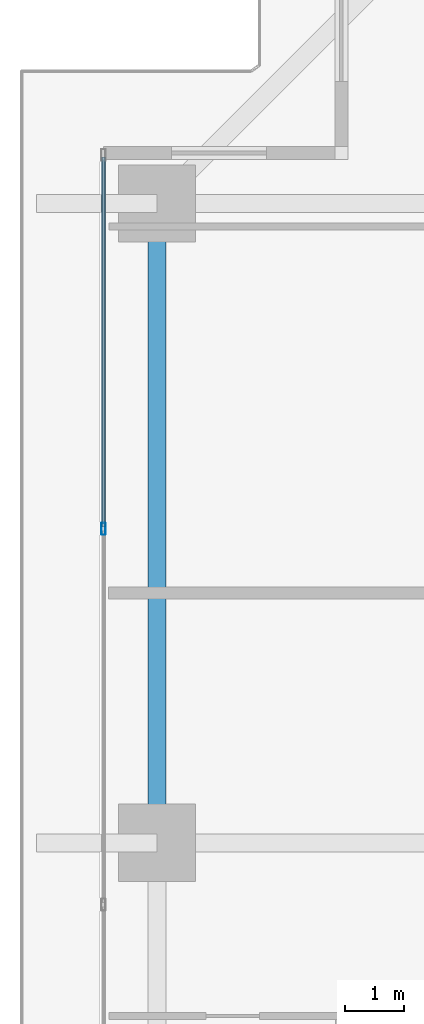
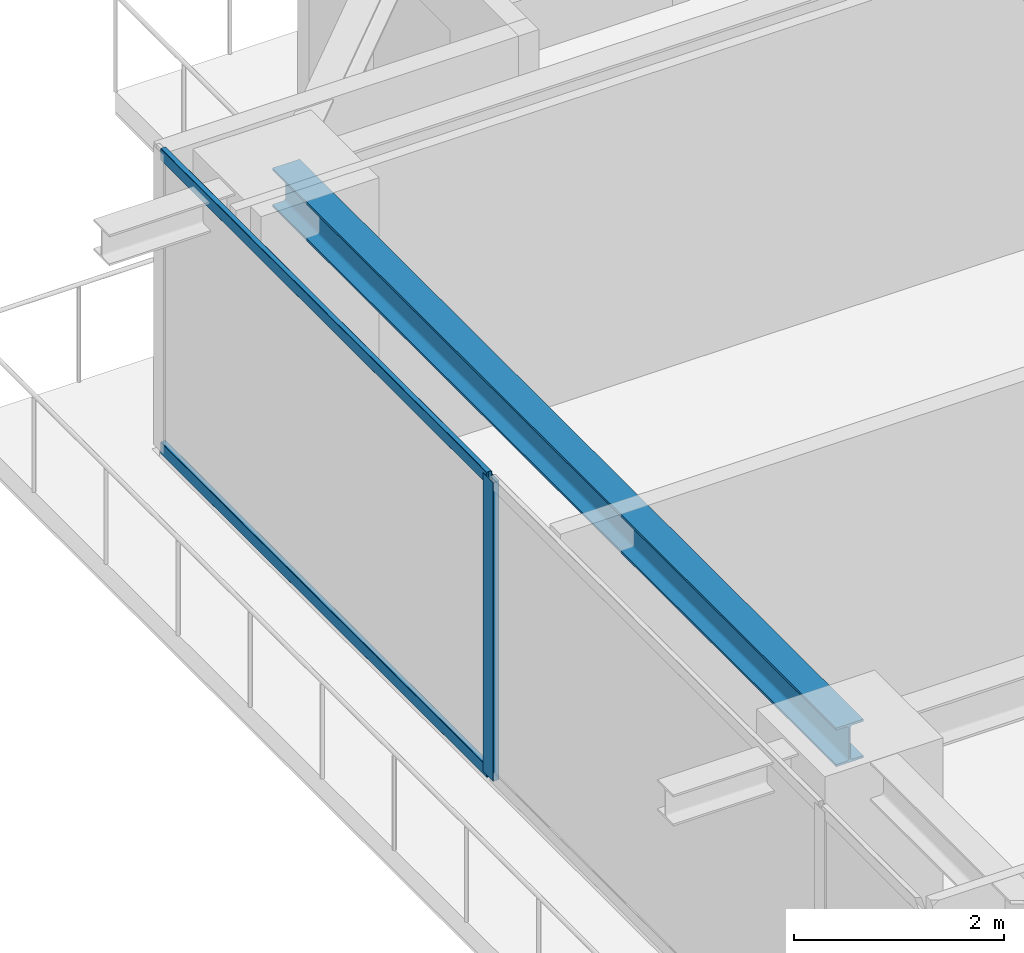
# One storey, part 17 of 37: 3 members, 1 beam, 1 element without a shape of its own.
"""IFC4 building model written with IfcOpenShell, lengths in metres."""

from ifc_helpers import new_model, si_unit, direction, frame, origin, origin_2d, place, context, subcontext, project, spatial, hollow_rectangle, i_section, extrude, source, transform, mapped, material, layer, layer_set, material_profile, profile_set, type_object, element, aggregate, save


model = new_model("IFC4")

# Units and contexts
model_context = context("Model", 3, precision=1e-05, world=origin(), true_north=direction((0.0, 1.0)))
body_context = subcontext(model_context, "Body", "Model", "MODEL_VIEW")
ifc_project = project(units=[si_unit("LENGTHUNIT", "METRE"), si_unit("AREAUNIT", "SQUARE_METRE"), si_unit("VOLUMEUNIT", "CUBIC_METRE"), si_unit("PLANEANGLEUNIT", "RADIAN"), si_unit("MASSUNIT", "GRAM", prefix="KILO")], contexts=[model_context])

# Site, building, storey
site_placement = place(None, origin())
site = spatial("IfcSite", under=ifc_project, at=site_placement, CompositionType="ELEMENT")
building_placement = place(site_placement, origin())
building = spatial("IfcBuilding", under=site, at=building_placement, Name="Serunith Strait Residences", CompositionType="ELEMENT")
storey_placement = place(building_placement, frame((0.0, 0.0, 161.39990234375)))
storey = spatial("IfcBuildingStorey", under=building, at=storey_placement, Name="L40", CompositionType="ELEMENT", Elevation=161.39990234375)

# Beam
ifc_material_1 = material(Name="Steel S355J2", Category="steel")
ifc_material_profile_1 = material_profile(ifc_material_1, i_section(OverallWidth=0.300048828125, OverallDepth=0.449951171875, WebThickness=0.013916015625, FlangeThickness=0.02587890625, FilletRadius=0.027099609375, at=origin_2d()), Name="HEB 450")
ifc_profile_set_1 = profile_set([ifc_material_profile_1], Name="Steel S355J2")
beam_type = type_object("IfcBeamType", Name="BM-HEB450", PredefinedType="BEAM", material=ifc_profile_set_1)
shared_shape_1 = source(origin(), body_context, "Body", "SweptSolid", [
    extrude(i_section(OverallWidth=0.300048828125, OverallDepth=0.449951171875, WebThickness=0.013916015625, FlangeThickness=0.02587890625, FilletRadius=0.027099609375, at=origin_2d()), origin(), (0.0, 0.0, 1.0), 10.75),
])
beam_placement = place(storey_placement, frame((8.699951171875, 40.14990234375, 3.26220703125), z_axis=(0.0, -1.0, 0.0), x_axis=(1.0, 0.0, 0.0)))
element("IfcBeam", 1, at=beam_placement, inside=storey, type_object=beam_type, Name="L40 Perimeter Ring Beam 13", PredefinedType="BEAM", context=body_context, shape_type="MappedRepresentation", body=[
    mapped(shared_shape_1, transform((0.0, 0.0, 0.0), scale=1.0)),
])

# Curtain wall, members
ifc_material_2 = material(Name="Pale-Champagne Anodised Aluminium", Category="aluminium")
ifc_layer = layer(ifc_material_2, 0.199951171875, Name="Pale-Champagne Anodised Aluminium")
ifc_layer_set = layer_set([ifc_layer], Name="Pale-Champagne Anodised Aluminium")
curtain_wall_type = type_object("IfcCurtainWallType", Name="CW-SYS2", PredefinedType="NOTDEFINED", material=ifc_layer_set)
curtain_wall_placement = place(storey_placement, origin())
curtain_wall = element("IfcCurtainWall", 2, at=curtain_wall_placement, inside=storey, type_object=curtain_wall_type, Name="L40 W Unitised Fritted Curtain Wall", PredefinedType="NOTDEFINED")
ifc_material_profile_2 = material_profile(ifc_material_2, hollow_rectangle(XDim=0.070068359375, YDim=0.199951171875, WallThickness=0.00390625, InnerFilletRadius=0.006103515625, OuterFilletRadius=0.010009765625, at=origin_2d()), Name="ALU 200x70x4")
ifc_profile_set_2 = profile_set([ifc_material_profile_2], Name="Pale-Champagne Anodised Aluminium")
member_type_1 = type_object("IfcMemberType", Name="CW-SYS2-MULL", PredefinedType="MULLION", material=ifc_profile_set_2)
shared_shape_2 = source(origin(), body_context, "Body", "SweptSolid", [
    extrude(hollow_rectangle(XDim=0.070068359375, YDim=0.199951171875, WallThickness=0.00390625, InnerFilletRadius=0.006103515625, OuterFilletRadius=0.010009765625, at=origin_2d()), origin(), (0.0, 0.0, 1.0), 3.47509765625),
])
member_1_placement = place(storey_placement, frame((7.800048828125, 34.679931640625, 0.0), z_axis=(0.0, 0.0, 1.0), x_axis=(1.0, 0.0, 0.0)))
member_1 = element("IfcMember", 3, at=member_1_placement, type_object=member_type_1, Name="CW-2 mullion 2", PredefinedType="MULLION", context=body_context, shape_type="MappedRepresentation", body=[
    mapped(shared_shape_2, transform((0.0, 0.0, 0.0), scale=1.0)),
])
ifc_material_profile_3 = material_profile(ifc_material_2, hollow_rectangle(XDim=0.06005859375, YDim=0.139892578125, WallThickness=0.00341796875, InnerFilletRadius=0.00537109375, OuterFilletRadius=0.0087890625, at=origin_2d()), Name="ALU 140x60x3.5")
ifc_profile_set_3 = profile_set([ifc_material_profile_3], Name="Pale-Champagne Anodised Aluminium")
member_type_2 = type_object("IfcMemberType", Name="CW-SYS2-TRAN", PredefinedType="USERDEFINED", material=ifc_profile_set_3)
shared_shape_3 = source(origin(), body_context, "Body", "SweptSolid", [
    extrude(hollow_rectangle(XDim=0.06005859375, YDim=0.139892578125, WallThickness=0.00341796875, InnerFilletRadius=0.00537109375, OuterFilletRadius=0.0087890625, at=origin_2d()), origin(), (0.0, 0.0, 1.0), 6.21484375),
])
member_2_placement = place(storey_placement, frame((7.800048828125, 40.929931640625, 0.030029296875), z_axis=(0.0, -1.0, 0.0), x_axis=(1.0, 0.0, 0.0)))
member_2 = element("IfcMember", 4, at=member_2_placement, type_object=member_type_2, Name="CW-2 transom 1.1", ObjectType="TRANSOM", PredefinedType="USERDEFINED", context=body_context, shape_type="MappedRepresentation", body=[
    mapped(shared_shape_3, transform((0.0, 0.0, 0.0), scale=1.0)),
])
member_3_placement = place(storey_placement, frame((7.800048828125, 40.929931640625, 3.445068359375), z_axis=(0.0, -1.0, 0.0), x_axis=(1.0, 0.0, 0.0)))
member_3 = element("IfcMember", 5, at=member_3_placement, type_object=member_type_2, Name="CW-2 transom 1.2", ObjectType="TRANSOM", PredefinedType="USERDEFINED", context=body_context, shape_type="MappedRepresentation", body=[
    mapped(shared_shape_3, transform((0.0, 0.0, 0.0), scale=1.0)),
])
aggregate(curtain_wall, [member_1, member_2, member_3])

save(model, "model.ifc")
